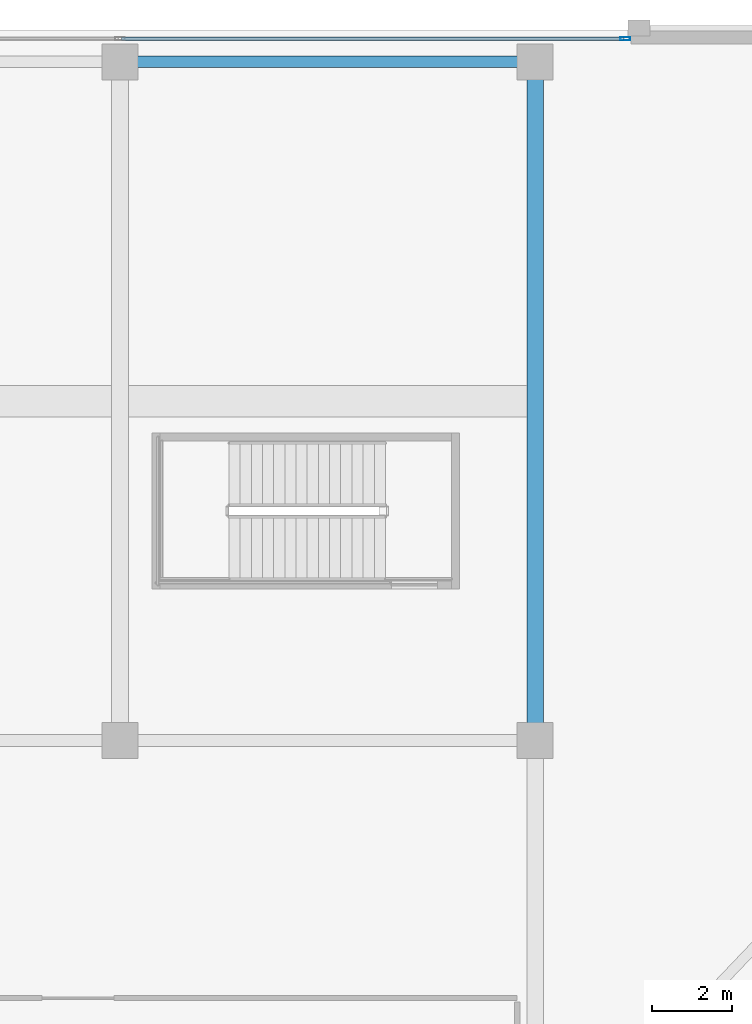
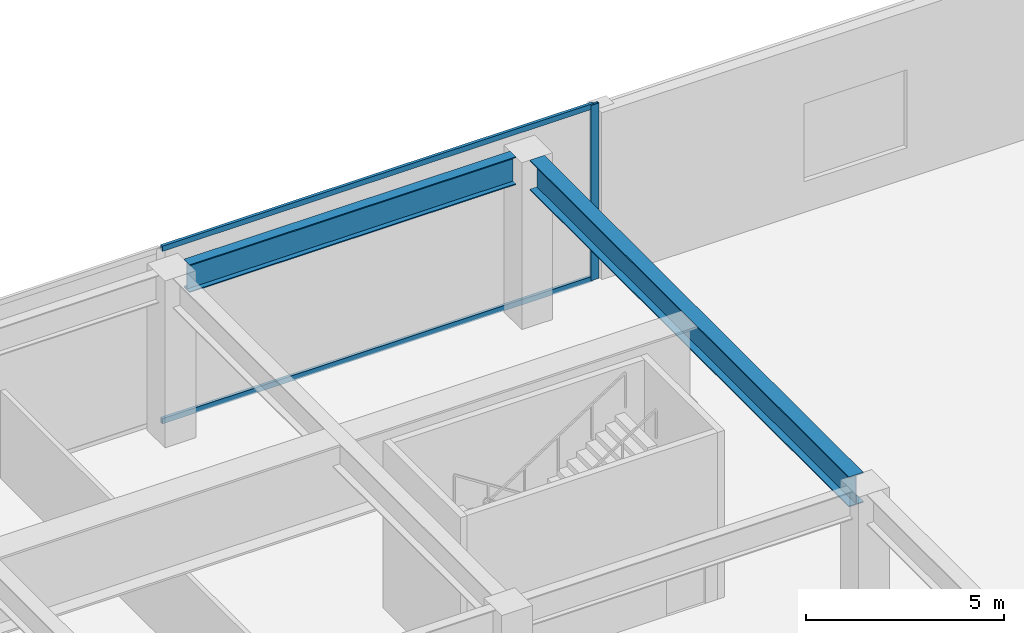
# One storey, part 23 of 48: 3 members, 2 beams, 1 element without a shape of its own.
"""IFC4 building model written with IfcOpenShell, lengths in metres."""

from ifc_helpers import new_model, si_unit, direction, frame, origin, origin_2d, place, context, subcontext, project, spatial, hollow_rectangle, i_section, extrude, material, material_profile, profile_set, type_object, element, aggregate, save


model = new_model("IFC4")

# Units and contexts
model_context = context("Model", 3, precision=1e-05, world=origin(), true_north=direction((0.0, 1.0)))
body_context = subcontext(model_context, "Body", "Model", "MODEL_VIEW")
ifc_project = project(units=[si_unit("LENGTHUNIT", "METRE"), si_unit("AREAUNIT", "SQUARE_METRE"), si_unit("VOLUMEUNIT", "CUBIC_METRE"), si_unit("PLANEANGLEUNIT", "RADIAN"), si_unit("MASSUNIT", "GRAM", prefix="KILO")], contexts=[model_context])

# Site, building, storey
site_placement = place(None, origin())
site = spatial("IfcSite", under=ifc_project, at=site_placement, CompositionType="ELEMENT")
building_placement = place(site_placement, origin())
building = spatial("IfcBuilding", under=site, at=building_placement, Name="Tashvorn Skyway Center", CompositionType="ELEMENT")
storey_placement = place(building_placement, frame((0.0, 0.0, 10.199951171875)))
storey = spatial("IfcBuildingStorey", under=building, at=storey_placement, Name="L02", CompositionType="ELEMENT", Elevation=10.199951171875)

# Beams
ifc_material_1 = material(Name="Steel ASTM A992 Grade 50", Category="steel")
ifc_material_profile_1 = material_profile(ifc_material_1, i_section(OverallWidth=0.2919921875, OverallDepth=0.85888671875, WebThickness=0.01708984375, FlangeThickness=0.031005859375, at=origin_2d()), Name="W33X169")
ifc_profile_set_1 = profile_set([ifc_material_profile_1], Name="Steel ASTM A992 Grade 50")
beam_type_1 = type_object("IfcBeamType", Name="BM-BEAM-W33X169", PredefinedType="BEAM", material=ifc_profile_set_1)
beam_1_placement = place(storey_placement, frame((77.2451171875, 63.199951171875, 4.71044921875), z_axis=(1.0, 0.0, 0.0), x_axis=(0.0, 1.0, 0.0)))
element("IfcBeam", 1, at=beam_1_placement, inside=storey, type_object=beam_type_1, Name="L02 Central Podium Girder B 09", PredefinedType="BEAM", context=body_context, shape_type="SweptSolid", body=[
    extrude(i_section(OverallWidth=0.2919921875, OverallDepth=0.85888671875, WebThickness=0.01708984375, FlangeThickness=0.031005859375, at=origin_2d()), origin(), (0.0, 0.0, 1.0), 9.509765625),
])
ifc_material_2 = material(Name="Steel ASTM A913 Grade 65", Category="steel")
ifc_material_profile_2 = material_profile(ifc_material_2, i_section(OverallWidth=0.4189453125, OverallDepth=0.927001953125, WebThickness=0.019287109375, FlangeThickness=0.031982421875, at=origin_2d()), Name="W36X231")
ifc_profile_set_2 = profile_set([ifc_material_profile_2], Name="Steel ASTM A913 Grade 65")
beam_type_2 = type_object("IfcBeamType", Name="BM-BEAM-W36X231", PredefinedType="BEAM", material=ifc_profile_set_2)
beam_2_placement = place(storey_placement, frame((87.199951171875, 46.64501953125, 4.676513671875), z_axis=(0.0, 1.0, 0.0), x_axis=(-1.0, 0.0, 0.0)))
element("IfcBeam", 2, at=beam_2_placement, inside=storey, type_object=beam_type_2, Name="L02 North-South Podium Girder 05-N", PredefinedType="BEAM", context=body_context, shape_type="SweptSolid", body=[
    extrude(i_section(OverallWidth=0.4189453125, OverallDepth=0.927001953125, WebThickness=0.019287109375, FlangeThickness=0.031982421875, at=origin_2d()), origin(), (0.0, 0.0, 1.0), 16.10986328125),
])

# Curtain wall, members
ifc_material_3 = material(Name="Thermally broken bronze-anodized aluminium 6063-T6", Category="aluminium")
curtain_wall_type = type_object("IfcCurtainWallType", Name="CW-CW-Z1", PredefinedType="NOTDEFINED", material=ifc_material_3)
curtain_wall_placement = place(storey_placement, origin())
curtain_wall = element("IfcCurtainWall", 3, at=curtain_wall_placement, inside=storey, type_object=curtain_wall_type, Name="L02 North Station Arcade Curtain Wall 2", PredefinedType="NOTDEFINED")
ifc_material_profile_3 = material_profile(ifc_material_3, hollow_rectangle(XDim=0.0849609375, YDim=0.239990234375, WallThickness=0.0048828125, at=origin_2d()), Name="ALU-MULL-85x240")
ifc_profile_set_3 = profile_set([ifc_material_profile_3], Name="Thermally broken bronze-anodized aluminium 6063-T6")
member_type_1 = type_object("IfcMemberType", Name="CWM-CW-Z1", PredefinedType="MULLION", material=ifc_profile_set_3)
member_1_placement = place(storey_placement, frame((89.45751953125, 63.780029296875, 0.0), z_axis=(0.0, 0.0, 1.0), x_axis=(0.0, 1.0, 0.0)))
member_1 = element("IfcMember", 4, at=member_1_placement, type_object=member_type_1, Name="CW-Z1 mullion 3", PredefinedType="MULLION", context=body_context, shape_type="SweptSolid", body=[
    extrude(hollow_rectangle(XDim=0.0849609375, YDim=0.239990234375, WallThickness=0.0048828125, at=origin_2d()), origin(), (0.0, 0.0, 1.0), 5.400146484375),
])
ifc_material_profile_4 = material_profile(ifc_material_3, hollow_rectangle(XDim=0.0849609375, YDim=0.1650390625, WallThickness=0.0048828125, at=origin_2d()), Name="ALU-TRAN-85x165")
ifc_profile_set_4 = profile_set([ifc_material_profile_4], Name="Thermally broken bronze-anodized aluminium 6063-T6")
member_type_2 = type_object("IfcMemberType", Name="CWT-CW-Z1", PredefinedType="USERDEFINED", material=ifc_profile_set_4)
member_2_placement = place(storey_placement, frame((76.842529296875, 63.780029296875, 0.04248046875), z_axis=(1.0, 0.0, 0.0), x_axis=(0.0, 1.0, 0.0)))
member_2 = element("IfcMember", 5, at=member_2_placement, type_object=member_type_2, Name="CW-Z1 transom 2.1", ObjectType="TRANSOM", PredefinedType="USERDEFINED", context=body_context, shape_type="SweptSolid", body=[
    extrude(hollow_rectangle(XDim=0.0849609375, YDim=0.1650390625, WallThickness=0.0048828125, at=origin_2d()), origin(), (0.0, 0.0, 1.0), 12.572509765625),
])
member_3_placement = place(storey_placement, frame((76.842529296875, 63.780029296875, 5.357666015625), z_axis=(1.0, 0.0, 0.0), x_axis=(0.0, 1.0, 0.0)))
member_3 = element("IfcMember", 6, at=member_3_placement, type_object=member_type_2, Name="CW-Z1 transom 2.2", ObjectType="TRANSOM", PredefinedType="USERDEFINED", context=body_context, shape_type="SweptSolid", body=[
    extrude(hollow_rectangle(XDim=0.0849609375, YDim=0.1650390625, WallThickness=0.0048828125, at=origin_2d()), origin(), (0.0, 0.0, 1.0), 12.572509765625),
])
aggregate(curtain_wall, [member_1, member_2, member_3])

save(model, "model.ifc")
